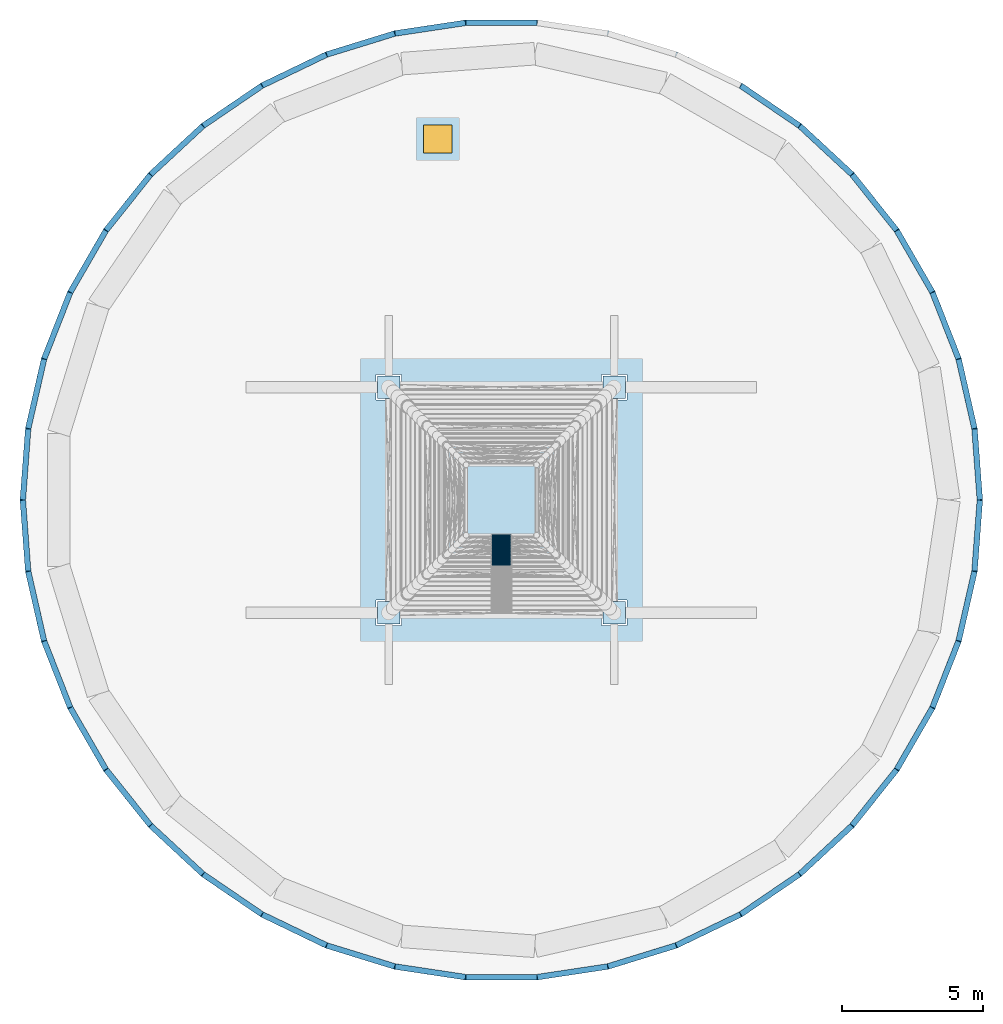
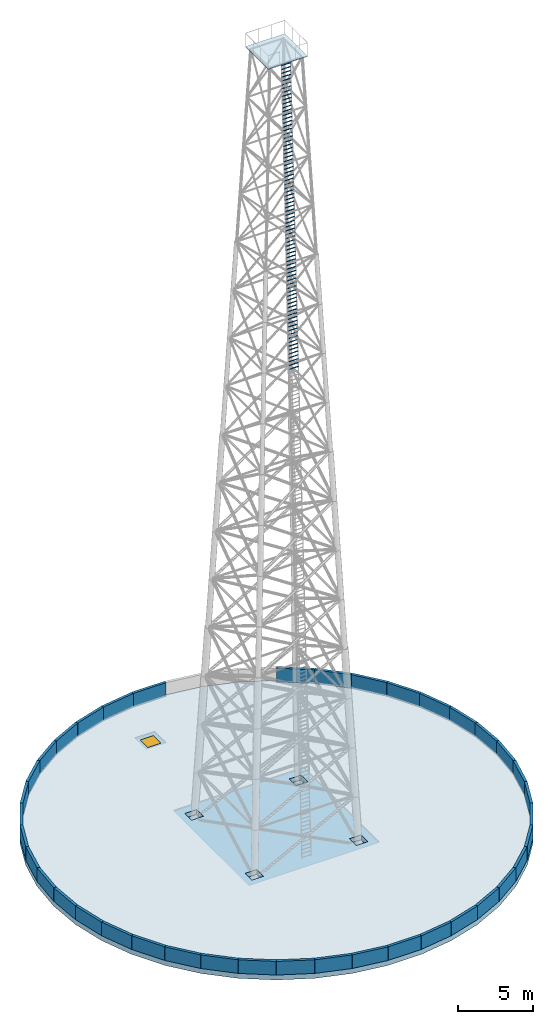
"""IFC4 building model written with IfcOpenShell, lengths in metres."""

from ifc_helpers import new_model, si_unit, direction, frame, frame_2d, origin, origin_2d, place, context, subcontext, project, spatial, polyline, rectangle, hollow_circle, outline, extrude, material, layer, layer_set, material_profile, profile_set, type_object, element, fill, save


model = new_model("IFC4")

# Units and contexts
model_context = context("Model", 3, precision=1e-05, world=origin(), true_north=direction((0.0, 1.0)))
body_context = subcontext(model_context, "Body", "Model", "MODEL_VIEW")
ifc_project = project(units=[si_unit("LENGTHUNIT", "METRE"), si_unit("AREAUNIT", "SQUARE_METRE"), si_unit("VOLUMEUNIT", "CUBIC_METRE"), si_unit("PLANEANGLEUNIT", "RADIAN"), si_unit("MASSUNIT", "GRAM", prefix="KILO")], contexts=[model_context])

# Site, building, storey
site_placement = place(None, origin())
site = spatial("IfcSite", under=ifc_project, at=site_placement, CompositionType="ELEMENT")
building_placement = place(site_placement, origin())
building = spatial("IfcBuilding", under=site, at=building_placement, Name="Tracery Tower", CompositionType="ELEMENT")
storey_1_placement = place(building_placement, frame((0.0, 0.0, 364.199951171875)))
storey_1 = spatial("IfcBuildingStorey", under=building, at=storey_1_placement, Name="Roof", CompositionType="ELEMENT", Elevation=364.199951171875)

# Members
ifc_material_1 = material(Name="Steel S355", Category="steel")
ifc_material_profile = material_profile(ifc_material_1, hollow_circle(Radius=0.024169921875, WallThickness=0.00390625, at=origin_2d()), Name="CHS 48.3x4")
ifc_profile_set = profile_set([ifc_material_profile], Name="Steel S355")
member_type = type_object("IfcMemberType", Name="Mast ladder rung MAST CHS 48.3x4", PredefinedType="MEMBER", material=ifc_profile_set)
for number, where, z_axis, x_axis, name in (
    (1, (-0.35009765625, -2.301025390625, 38.64501953125), (1.0, 0.0, 0.0), (0.0, 1.0, 0.0), "Mast service ladder rung 129"),
    (2, (-0.35009765625, -2.287841796875, 38.948486328125), (1.0, 0.0, 0.0), (0.0, 1.0, 0.0), "Mast service ladder rung 130"),
    (3, (-0.35009765625, -2.274658203125, 39.251953125), (1.0, 0.0, 0.0), (0.0, 1.0, 0.0), "Mast service ladder rung 131"),
    (4, (-0.35009765625, -2.261474609375, 39.555419921875), (1.0, 0.0, 0.0), (0.0, 1.0, 0.0), "Mast service ladder rung 132"),
    (5, (-0.35009765625, -2.248291015625, 39.858642578125), (1.0, 0.0, 0.0), (0.0, 1.0, 0.0), "Mast service ladder rung 133"),
    (6, (-0.35009765625, -2.235107421875, 40.162353515625), (1.0, 0.0, 0.0), (0.0, 1.0, 0.0), "Mast service ladder rung 134"),
    (7, (-0.35009765625, -2.2216796875, 40.4658203125), (1.0, 0.0, 0.0), (0.0, 1.0, 0.0), "Mast service ladder rung 135"),
    (8, (-0.35009765625, -2.20849609375, 40.76904296875), (1.0, 0.0, 0.0), (0.0, 1.0, 0.0), "Mast service ladder rung 136"),
    (9, (-0.35009765625, -2.1953125, 41.07275390625), (1.0, 0.0, 0.0), (0.0, 1.0, 0.0), "Mast service ladder rung 137"),
    (10, (-0.35009765625, -2.18212890625, 41.376220703125), (1.0, 0.0, 0.0), (0.0, 1.0, 0.0), "Mast service ladder rung 138"),
    (11, (-0.35009765625, -2.1689453125, 41.679443359375), (1.0, 0.0, 0.0), (0.0, 1.0, 0.0), "Mast service ladder rung 139"),
    (12, (-0.35009765625, -2.155517578125, 41.983154296875), (1.0, 0.0, 0.0), (0.0, 1.0, 0.0), "Mast service ladder rung 140"),
    (13, (-0.35009765625, -2.142333984375, 42.286376953125), (1.0, 0.0, 0.0), (0.0, 1.0, 0.0), "Mast service ladder rung 141"),
    (14, (-0.35009765625, -2.129150390625, 42.58984375), (1.0, 0.0, 0.0), (0.0, 1.0, 0.0), "Mast service ladder rung 142"),
    (15, (-0.35009765625, -2.115966796875, 42.8935546875), (1.0, 0.0, 0.0), (0.0, 1.0, 0.0), "Mast service ladder rung 143"),
    (16, (-0.35009765625, -2.102783203125, 43.19677734375), (1.0, 0.0, 0.0), (0.0, 1.0, 0.0), "Mast service ladder rung 144"),
    (17, (-0.35009765625, -2.089599609375, 43.500244140625), (1.0, 0.0, 0.0), (0.0, 1.0, 0.0), "Mast service ladder rung 145"),
    (18, (-0.35009765625, -2.076416015625, 43.803955078125), (1.0, 0.0, 0.0), (0.0, 1.0, 0.0), "Mast service ladder rung 146"),
    (19, (-0.35009765625, -2.06298828125, 44.107177734375), (1.0, 0.0, 0.0), (0.0, 1.0, 0.0), "Mast service ladder rung 147"),
    (20, (-0.35009765625, -2.0498046875, 44.41064453125), (1.0, 0.0, 0.0), (0.0, 1.0, 0.0), "Mast service ladder rung 148"),
    (21, (-0.35009765625, -2.03662109375, 44.714111328125), (1.0, 0.0, 0.0), (0.0, 1.0, 0.0), "Mast service ladder rung 149"),
    (22, (-0.35009765625, -2.0234375, 45.017578125), (1.0, 0.0, 0.0), (0.0, 1.0, 0.0), "Mast service ladder rung 150"),
    (23, (-0.35009765625, -2.01025390625, 45.321044921875), (1.0, 0.0, 0.0), (0.0, 1.0, 0.0), "Mast service ladder rung 151"),
    (24, (-0.35009765625, -1.9970703125, 45.62451171875), (1.0, 0.0, 0.0), (0.0, 1.0, 0.0), "Mast service ladder rung 152"),
    (25, (-0.35009765625, -1.98388671875, 45.927978515625), (1.0, 0.0, 0.0), (0.0, 1.0, 0.0), "Mast service ladder rung 153"),
    (26, (-0.35009765625, -1.970703125, 46.2314453125), (1.0, 0.0, 0.0), (0.0, 1.0, 0.0), "Mast service ladder rung 154"),
    (27, (-0.35009765625, -1.957275390625, 46.534912109375), (1.0, 0.0, 0.0), (0.0, 1.0, 0.0), "Mast service ladder rung 155"),
    (28, (-0.35009765625, -1.944091796875, 46.83837890625), (1.0, 0.0, 0.0), (0.0, 1.0, 0.0), "Mast service ladder rung 156"),
    (29, (-0.35009765625, -1.930908203125, 47.141845703125), (1.0, 0.0, 0.0), (0.0, 1.0, 0.0), "Mast service ladder rung 157"),
    (30, (-0.35009765625, -1.917724609375, 47.4453125), (1.0, 0.0, 0.0), (0.0, 1.0, 0.0), "Mast service ladder rung 158"),
    (31, (-0.35009765625, -1.904296875, 47.748779296875), (1.0, 0.0, 0.0), (0.0, 1.0, 0.0), "Mast service ladder rung 159"),
    (32, (-0.35009765625, -1.89111328125, 48.05224609375), (1.0, 0.0, 0.0), (0.0, 1.0, 0.0), "Mast service ladder rung 160"),
    (33, (-0.35009765625, -1.8779296875, 48.355712890625), (1.0, 0.0, 0.0), (0.0, 1.0, 0.0), "Mast service ladder rung 161"),
    (34, (-0.35009765625, -1.86474609375, 48.6591796875), (1.0, 0.0, 0.0), (0.0, 1.0, 0.0), "Mast service ladder rung 162"),
    (35, (-0.35009765625, -1.8515625, 48.962646484375), (1.0, 0.0, 0.0), (0.0, 1.0, 0.0), "Mast service ladder rung 163"),
    (36, (-0.35009765625, -1.83837890625, 49.26611328125), (1.0, 0.0, 0.0), (0.0, 1.0, 0.0), "Mast service ladder rung 164"),
    (37, (-0.35009765625, -1.8251953125, 49.569580078125), (1.0, 0.0, 0.0), (0.0, 1.0, 0.0), "Mast service ladder rung 165"),
    (38, (-0.35009765625, -1.81201171875, 49.873046875), (1.0, 0.0, 0.0), (0.0, 1.0, 0.0), "Mast service ladder rung 166"),
    (39, (-0.35009765625, -1.798583984375, 50.176513671875), (1.0, 0.0, 0.0), (0.0, 1.0, 0.0), "Mast service ladder rung 167"),
    (40, (-0.35009765625, -1.785400390625, 50.47998046875), (1.0, 0.0, 0.0), (0.0, 1.0, 0.0), "Mast service ladder rung 168"),
    (41, (-0.35009765625, -1.772216796875, 50.783447265625), (1.0, 0.0, 0.0), (0.0, 1.0, 0.0), "Mast service ladder rung 169"),
    (42, (-0.35009765625, -1.759033203125, 51.0869140625), (1.0, 0.0, 0.0), (0.0, 1.0, 0.0), "Mast service ladder rung 170"),
    (43, (-0.35009765625, -1.745849609375, 51.390380859375), (1.0, 0.0, 0.0), (0.0, 1.0, 0.0), "Mast service ladder rung 171"),
    (44, (-0.35009765625, -1.732666015625, 51.69384765625), (1.0, 0.0, 0.0), (0.0, 1.0, 0.0), "Mast service ladder rung 172"),
    (45, (-0.35009765625, -1.719482421875, 51.997314453125), (1.0, 0.0, 0.0), (0.0, 1.0, 0.0), "Mast service ladder rung 173"),
    (46, (-0.35009765625, -1.7060546875, 52.30078125), (1.0, 0.0, 0.0), (0.0, 1.0, 0.0), "Mast service ladder rung 174"),
    (47, (-0.35009765625, -1.69287109375, 52.604248046875), (1.0, 0.0, 0.0), (0.0, 1.0, 0.0), "Mast service ladder rung 175"),
    (48, (-0.35009765625, -1.6796875, 52.90771484375), (1.0, 0.0, 0.0), (0.0, 1.0, 0.0), "Mast service ladder rung 176"),
    (49, (-0.35009765625, -1.66650390625, 53.211181640625), (1.0, 0.0, 0.0), (0.0, 1.0, 0.0), "Mast service ladder rung 177"),
    (50, (-0.35009765625, -1.6533203125, 53.5146484375), (1.0, 0.0, 0.0), (0.0, 1.0, 0.0), "Mast service ladder rung 178"),
    (51, (-0.35009765625, -1.639892578125, 53.818115234375), (1.0, 0.0, 0.0), (0.0, 1.0, 0.0), "Mast service ladder rung 179"),
    (52, (-0.35009765625, -1.626708984375, 54.12158203125), (1.0, 0.0, 0.0), (0.0, 1.0, 0.0), "Mast service ladder rung 180"),
    (53, (-0.35009765625, -1.613525390625, 54.425048828125), (1.0, 0.0, 0.0), (0.0, 1.0, 0.0), "Mast service ladder rung 181"),
    (54, (-0.35009765625, -1.600341796875, 54.728515625), (1.0, 0.0, 0.0), (0.0, 1.0, 0.0), "Mast service ladder rung 182"),
    (55, (-0.35009765625, -1.587158203125, 55.031982421875), (1.0, 0.0, 0.0), (0.0, 1.0, 0.0), "Mast service ladder rung 183"),
    (56, (-0.35009765625, -1.573974609375, 55.33544921875), (1.0, 0.0, 0.0), (0.0, 1.0, 0.0), "Mast service ladder rung 184"),
    (57, (-0.35009765625, -1.560791015625, 55.638916015625), (1.0, 0.0, 0.0), (0.0, 1.0, 0.0), "Mast service ladder rung 185"),
    (58, (-0.35009765625, -1.547607421875, 55.942138671875), (1.0, 0.0, 0.0), (0.0, 1.0, 0.0), "Mast service ladder rung 186"),
    (59, (-0.35009765625, -1.5341796875, 56.245849609375), (1.0, 0.0, 0.0), (0.0, 1.0, 0.0), "Mast service ladder rung 187"),
    (60, (-0.35009765625, -1.52099609375, 56.54931640625), (1.0, 0.0, 0.0), (0.0, 1.0, 0.0), "Mast service ladder rung 188"),
    (61, (-0.35009765625, -1.5078125, 56.8525390625), (1.0, 0.0, 0.0), (0.0, 1.0, 0.0), "Mast service ladder rung 189"),
    (62, (-0.35009765625, -1.49462890625, 57.15625), (1.0, 0.0, 0.0), (0.0, 1.0, 0.0), "Mast service ladder rung 190"),
    (63, (-0.35009765625, -1.4814453125, 57.459716796875), (1.0, 0.0, 0.0), (0.0, 1.0, 0.0), "Mast service ladder rung 191"),
    (64, (-0.35009765625, -1.468017578125, 57.762939453125), (1.0, 0.0, 0.0), (0.0, 1.0, 0.0), "Mast service ladder rung 192"),
    (65, (-0.35009765625, -1.454833984375, 58.066650390625), (1.0, 0.0, 0.0), (0.0, 1.0, 0.0), "Mast service ladder rung 193"),
    (66, (-0.35009765625, -1.441650390625, 58.369873046875), (1.0, 0.0, 0.0), (0.0, 1.0, 0.0), "Mast service ladder rung 194"),
    (67, (-0.35009765625, -1.428466796875, 58.67333984375), (1.0, 0.0, 0.0), (0.0, 1.0, 0.0), "Mast service ladder rung 195"),
    (68, (-0.35009765625, -1.415283203125, 58.97705078125), (1.0, 0.0, 0.0), (0.0, 1.0, 0.0), "Mast service ladder rung 196"),
    (69, (-0.35009765625, -1.402099609375, 59.2802734375), (1.0, 0.0, 0.0), (0.0, 1.0, 0.0), "Mast service ladder rung 197"),
    (70, (-0.35009765625, -1.388916015625, 59.583740234375), (1.0, 0.0, 0.0), (0.0, 1.0, 0.0), "Mast service ladder rung 198"),
    (71, (-0.35009765625, -1.37548828125, 59.887451171875), (1.0, 0.0, 0.0), (0.0, 1.0, 0.0), "Mast service ladder rung 199"),
    (72, (-0.35009765625, -1.3623046875, 60.190673828125), (1.0, 0.0, 0.0), (0.0, 1.0, 0.0), "Mast service ladder rung 200"),
    (73, (-0.35009765625, -1.34912109375, 60.494140625), (1.0, 0.0, 0.0), (0.0, 1.0, 0.0), "Mast service ladder rung 201"),
    (74, (-0.35009765625, -1.3359375, 60.797607421875), (1.0, 0.0, 0.0), (0.0, 1.0, 0.0), "Mast service ladder rung 202"),
    (75, (-0.35009765625, -1.32275390625, 61.10107421875), (1.0, 0.0, 0.0), (0.0, 1.0, 0.0), "Mast service ladder rung 203"),
    (76, (-0.35009765625, -1.3095703125, 61.404541015625), (1.0, 0.0, 0.0), (0.0, 1.0, 0.0), "Mast service ladder rung 204"),
    (77, (-0.35009765625, -1.29638671875, 61.7080078125), (1.0, 0.0, 0.0), (0.0, 1.0, 0.0), "Mast service ladder rung 205"),
    (78, (-0.35009765625, -1.283203125, 62.011474609375), (1.0, 0.0, 0.0), (0.0, 1.0, 0.0), "Mast service ladder rung 206"),
    (79, (-0.35009765625, -1.269775390625, 62.31494140625), (1.0, 0.0, 0.0), (0.0, 1.0, 0.0), "Mast service ladder rung 207"),
    (80, (-0.35009765625, -1.256591796875, 62.618408203125), (1.0, 0.0, 0.0), (0.0, 1.0, 0.0), "Mast service ladder rung 208"),
):
    element("IfcMember", number, at=place(storey_1_placement, frame(where, z_axis=z_axis, x_axis=x_axis)), inside=storey_1, type_object=member_type, Name=name, PredefinedType="MEMBER", context=body_context, shape_type="SweptSolid", body=[
        extrude(hollow_circle(Radius=0.024169921875, WallThickness=0.00390625, at=origin_2d()), origin(), (0.0, 0.0, 1.0), 0.7001953125),
    ])

# Plates
ifc_material_2 = material(Name="Steel S355", Category="steel")
ifc_layer_1 = layer(ifc_material_2, 0.050048828125)
ifc_layer_set_1 = layer_set([ifc_layer_1], Name="Mast base plate 800x800x50 MAST")
plate_type_1 = type_object("IfcPlateType", Name="Mast base plate 800x800x50 MAST", PredefinedType="SHEET", material=ifc_layer_set_1)
for number, where, z_axis, x_axis, name in (
    (81, (-4.0, -4.0, -0.39990234375), (0.0, 0.0, 1.0), (1.0, 0.0, 0.0), "Mast base plate 1"),
    (82, (4.0, -4.0, -0.39990234375), (0.0, 0.0, 1.0), (1.0, 0.0, 0.0), "Mast base plate 2"),
    (83, (4.0, 4.0, -0.39990234375), (0.0, 0.0, 1.0), (1.0, 0.0, 0.0), "Mast base plate 3"),
    (84, (-4.0, 4.0, -0.39990234375), (0.0, 0.0, 1.0), (1.0, 0.0, 0.0), "Mast base plate 4"),
):
    element("IfcPlate", number, at=place(storey_1_placement, frame(where, z_axis=z_axis, x_axis=x_axis)), inside=storey_1, type_object=plate_type_1, Name=name, PredefinedType="SHEET", context=body_context, shape_type="SweptSolid", body=[
        extrude(rectangle(XDim=0.800048828125, YDim=0.800048828125, at=origin_2d()), origin(), (0.0, 0.0, 1.0), 0.050048828125),
    ])
ifc_material_3 = material(Name="Steel S355", Category="steel")
ifc_layer_2 = layer(ifc_material_3, 0.06005859375)
ifc_layer_set_2 = layer_set([ifc_layer_2], Name="Mast lamp platform grating 3000x3000x60 MAST")
plate_type_2 = type_object("IfcPlateType", Name="Mast lamp platform grating 3000x3000x60 MAST", PredefinedType="SHEET", material=ifc_layer_set_2)
plate_placement = place(storey_1_placement, frame((0.0, 0.0, 62.840087890625), z_axis=(0.0, 0.0, 1.0), x_axis=(1.0, 0.0, 0.0)))
element("IfcPlate", 85, at=plate_placement, inside=storey_1, type_object=plate_type_2, Name="Mast lamp platform", PredefinedType="SHEET", context=body_context, shape_type="SweptSolid", body=[
    extrude(rectangle(XDim=3.0, YDim=3.0, at=origin_2d()), origin(), (0.0, 0.0, 1.0), 0.06005859375),
])

# Slab, opening
ifc_material_4 = material(Name="Concrete C40/50", Category="concrete")
ifc_layer_3 = layer(ifc_material_4, 0.39990234375)
ifc_layer_set_3 = layer_set([ifc_layer_3], Name="Roof slab 400")
slab_type = type_object("IfcSlabType", Name="Roof slab 400", PredefinedType="ROOF", material=ifc_layer_set_3)
slab_placement = place(storey_1_placement, frame((0.0, 0.0, -0.39990234375)))
slab = element("IfcSlab", 86, at=slab_placement, inside=storey_1, type_object=slab_type, Name="Roof slab", PredefinedType="ROOF", context=body_context, shape_type="SweptSolid", body=[
    extrude(outline(polyline([(17.072265625, 0.0), (16.881591796875, 2.54443359375), (16.313720703125, 5.031982421875), (15.381591796875, 7.4072265625), (14.105712890625, 9.6171875), (12.514892578125, 11.612060546875), (10.644287109375, 13.34765625), (8.5361328125, 14.784912109375), (6.2373046875, 15.89208984375), (3.798828125, 16.644287109375), (1.27587890625, 17.0244140625), (-1.27587890625, 17.0244140625), (-3.798828125, 16.644287109375), (-6.2373046875, 15.89208984375), (-8.5361328125, 14.784912109375), (-10.644287109375, 13.34765625), (-12.514892578125, 11.612060546875), (-14.105712890625, 9.6171875), (-15.381591796875, 7.4072265625), (-16.313720703125, 5.031982421875), (-16.881591796875, 2.54443359375), (-17.072265625, 0.0), (-16.881591796875, -2.54443359375), (-16.313720703125, -5.031982421875), (-15.381591796875, -7.4072265625), (-14.105712890625, -9.6171875), (-12.514892578125, -11.612060546875), (-10.644287109375, -13.34765625), (-8.5361328125, -14.784912109375), (-6.2373046875, -15.89208984375), (-3.798828125, -16.644287109375), (-1.27587890625, -17.0244140625), (1.27587890625, -17.0244140625), (3.798828125, -16.644287109375), (6.2373046875, -15.89208984375), (8.5361328125, -14.784912109375), (10.644287109375, -13.34765625), (12.514892578125, -11.612060546875), (14.105712890625, -9.6171875), (15.381591796875, -7.4072265625), (16.313720703125, -5.031982421875), (16.881591796875, -2.54443359375), (17.072265625, 0.0)]), holes=[polyline([(3.550048828125, 3.550048828125), (4.449951171875, 3.550048828125), (4.449951171875, 4.449951171875), (3.550048828125, 4.449951171875), (3.550048828125, 3.550048828125)]), polyline([(-4.449951171875, 3.550048828125), (-3.550048828125, 3.550048828125), (-3.550048828125, 4.449951171875), (-4.449951171875, 4.449951171875), (-4.449951171875, 3.550048828125)]), polyline([(-4.449951171875, -4.449951171875), (-3.550048828125, -4.449951171875), (-3.550048828125, -3.550048828125), (-4.449951171875, -3.550048828125), (-4.449951171875, -4.449951171875)]), polyline([(3.550048828125, -4.449951171875), (4.449951171875, -4.449951171875), (4.449951171875, -3.550048828125), (3.550048828125, -3.550048828125), (3.550048828125, -4.449951171875)])]), origin(), (0.0, 0.0, 1.0), 0.39990234375),
])
opening_placement = place(slab_placement, frame((-2.25732421875, 12.802490234375, 0.0)))
opening = element("IfcOpeningElement", 87, at=opening_placement, cuts=slab, Name="Opening EW835", PredefinedType="OPENING", context=body_context, shape_type="SweptSolid", body=[
    extrude(rectangle(XDim=1.0, YDim=1.0, at=origin_2d()), origin(), (0.0, 0.0, 1.0), 0.39990234375),
])

# Storey
storey_2_placement = place(building_placement, frame((0.0, 0.0, 358.199951171875)))
storey_2 = spatial("IfcBuildingStorey", under=building, at=storey_2_placement, Name="L91 Plant", CompositionType="ELEMENT", Elevation=358.199951171875)

# Window
ifc_material_5 = material(Name="Steel fire door", Category="steel")
window_type = type_object("IfcWindowType", Name="Roof access hatch 1000 x 1000", PartitioningType="SINGLE_PANEL", PredefinedType="SKYLIGHT", material=ifc_material_5)
window_placement = place(opening_placement, frame((0.0, 0.0, 0.349853515625)))
window = element("IfcWindow", 88, at=window_placement, inside=storey_2, type_object=window_type, Name="Roof access hatch EW835", OverallHeight=1.0, OverallWidth=1.0, PartitioningType="SINGLE_PANEL", PredefinedType="SKYLIGHT", context=body_context, shape_type="SweptSolid", body=[
    extrude(rectangle(XDim=1.0, YDim=1.0, at=origin_2d()), origin(), (0.0, 0.0, 1.0), 0.050048828125),
])

fill(opening, window)

# Walls
ifc_material_6 = material(Name="Precast concrete C50/60", Category="concrete")
ifc_layer_4 = layer(ifc_material_6, 0.199951171875)
ifc_layer_set_4 = layer_set([ifc_layer_4], Name="Roof parapet 200")
wall_type = type_object("IfcWallType", Name="Roof parapet 200", PredefinedType="PARAPET", material=ifc_layer_set_4)
wall_1_placement = place(storey_1_placement, frame((16.97119140625, 0.008544921875, 0.0), z_axis=(0.0, 0.0, 1.0), x_axis=(-0.074710452078, 0.997205268914, 0.0)))
element("IfcWall", 89, at=wall_1_placement, inside=storey_1, type_object=wall_type, Name="Roof parapet 1", PredefinedType="PARAPET", context=body_context, shape_type="SweptSolid", body=[
    extrude(rectangle(XDim=2.51953125, YDim=0.199951171875, at=frame_2d((1.259765625, 0.0))), origin(), (0.0, 0.0, 1.0), 1.10009765625),
])
for number, where, z_axis, x_axis, name in (
    (90, (16.780517578125, 2.537841796875, 0.0), (0.0, 0.0, 1.0), (-0.222559075323, 0.974919205879, 0.0), "Roof parapet 2"),
    (91, (16.21484375, 5.010498046875, 0.0), (0.0, 0.0, 1.0), (-0.365385552195, 0.93085627153, 0.0), "Roof parapet 3"),
    (92, (15.286865234375, 7.37109375, 0.0), (0.0, 0.0, 1.0), (-0.499974077718, 0.866040369504, 0.0), "Roof parapet 4"),
):
    element("IfcWall", number, at=place(storey_1_placement, frame(where, z_axis=z_axis, x_axis=x_axis)), inside=storey_1, type_object=wall_type, Name=name, PredefinedType="PARAPET", context=body_context, shape_type="SweptSolid", body=[
        extrude(rectangle(XDim=2.519775390625, YDim=0.199951171875, at=frame_2d((1.259765625, 0.0))), origin(), (0.0, 0.0, 1.0), 1.10009765625),
    ])
wall_2_placement = place(storey_1_placement, frame((14.017578125, 9.5673828125, 0.0), z_axis=(0.0, 0.0, 1.0), x_axis=(-0.623548124622, 0.781784968057, 0.0)))
element("IfcWall", 93, at=wall_2_placement, inside=storey_1, type_object=wall_type, Name="Roof parapet 5", PredefinedType="PARAPET", context=body_context, shape_type="SweptSolid", body=[
    extrude(rectangle(XDim=2.51953125, YDim=0.199951171875, at=frame_2d((1.259765625, 0.0))), origin(), (0.0, 0.0, 1.0), 1.10009765625),
])
wall_3_placement = place(storey_1_placement, frame((12.43505859375, 11.549560546875, 0.0), z_axis=(0.0, 0.0, 1.0), x_axis=(-0.733062600056, 0.68016117531, 0.0)))
element("IfcWall", 94, at=wall_3_placement, inside=storey_1, type_object=wall_type, Name="Roof parapet 6", PredefinedType="PARAPET", context=body_context, shape_type="SweptSolid", body=[
    extrude(rectangle(XDim=2.519775390625, YDim=0.199951171875, at=frame_2d((1.259765625, 0.0))), origin(), (0.0, 0.0, 1.0), 1.10009765625),
])
for number, where, z_axis, x_axis, name in (
    (95, (10.57470703125, 13.27392578125, 0.0), (0.0, 0.0, 1.0), (-0.826221192882, 0.563345844426, 0.0), "Roof parapet 7"),
    (96, (1.259765625, 16.924560546875, 0.0), (0.0, 0.0, 1.0), (-1.0, 0.0, 0.0), "Roof parapet 11"),
):
    element("IfcWall", number, at=place(storey_1_placement, frame(where, z_axis=z_axis, x_axis=x_axis)), inside=storey_1, type_object=wall_type, Name=name, PredefinedType="PARAPET", context=body_context, shape_type="SweptSolid", body=[
        extrude(rectangle(XDim=2.51953125, YDim=0.199951171875, at=frame_2d((1.259765625, 0.0))), origin(), (0.0, 0.0, 1.0), 1.10009765625),
    ])
for number, where, z_axis, x_axis, name in (
    (97, (-1.276611328125, 16.923095703125, 0.0), (0.0, 0.0, 1.0), (-0.98883520928, -0.149013183605, 0.0), "Roof parapet 12"),
    (98, (-3.78466796875, 16.5439453125, 0.0), (0.0, 0.0, 1.0), (-0.955573464233, -0.294753039769, 0.0), "Roof parapet 13"),
):
    element("IfcWall", number, at=place(storey_1_placement, frame(where, z_axis=z_axis, x_axis=x_axis)), inside=storey_1, type_object=wall_type, Name=name, PredefinedType="PARAPET", context=body_context, shape_type="SweptSolid", body=[
        extrude(rectangle(XDim=2.519775390625, YDim=0.199951171875, at=frame_2d((1.259765625, 0.0))), origin(), (0.0, 0.0, 1.0), 1.10009765625),
    ])
for number, where, z_axis, x_axis, name in (
    (99, (-6.208251953125, 15.794921875, 0.0), (0.0, 0.0, 1.0), (-0.900994655578, -0.433830186387, 0.0), "Roof parapet 14"),
    (100, (-8.492919921875, 14.693359375, 0.0), (0.0, 0.0, 1.0), (-0.826221192882, -0.563345844426, 0.0), "Roof parapet 15"),
):
    element("IfcWall", number, at=place(storey_1_placement, frame(where, z_axis=z_axis, x_axis=x_axis)), inside=storey_1, type_object=wall_type, Name=name, PredefinedType="PARAPET", context=body_context, shape_type="SweptSolid", body=[
        extrude(rectangle(XDim=2.51953125, YDim=0.199951171875, at=frame_2d((1.259765625, 0.0))), origin(), (0.0, 0.0, 1.0), 1.10009765625),
    ])
wall_4_placement = place(storey_1_placement, frame((-10.587890625, 13.263427734375, 0.0), z_axis=(0.0, 0.0, 1.0), x_axis=(-0.733062600056, -0.68016117531, 0.0)))
element("IfcWall", 101, at=wall_4_placement, inside=storey_1, type_object=wall_type, Name="Roof parapet 16", PredefinedType="PARAPET", context=body_context, shape_type="SweptSolid", body=[
    extrude(rectangle(XDim=2.519775390625, YDim=0.199951171875, at=frame_2d((1.259765625, 0.0))), origin(), (0.0, 0.0, 1.0), 1.10009765625),
])
wall_5_placement = place(storey_1_placement, frame((-12.446533203125, 11.537109375, 0.0), z_axis=(0.0, 0.0, 1.0), x_axis=(-0.623548124622, -0.781784968057, 0.0)))
element("IfcWall", 102, at=wall_5_placement, inside=storey_1, type_object=wall_type, Name="Roof parapet 17", PredefinedType="PARAPET", context=body_context, shape_type="SweptSolid", body=[
    extrude(rectangle(XDim=2.51953125, YDim=0.199951171875, at=frame_2d((1.259765625, 0.0))), origin(), (0.0, 0.0, 1.0), 1.10009765625),
])
for number, where, z_axis, x_axis, name in (
    (103, (-14.027099609375, 9.55322265625, 0.0), (0.0, 0.0, 1.0), (-0.499974077718, -0.866040369504, 0.0), "Roof parapet 18"),
    (104, (-15.294189453125, 7.35595703125, 0.0), (0.0, 0.0, 1.0), (-0.365385552195, -0.93085627153, 0.0), "Roof parapet 19"),
    (105, (-16.2197265625, 4.994384765625, 0.0), (0.0, 0.0, 1.0), (-0.222559075323, -0.974919205879, 0.0), "Roof parapet 20"),
):
    element("IfcWall", number, at=place(storey_1_placement, frame(where, z_axis=z_axis, x_axis=x_axis)), inside=storey_1, type_object=wall_type, Name=name, PredefinedType="PARAPET", context=body_context, shape_type="SweptSolid", body=[
        extrude(rectangle(XDim=2.519775390625, YDim=0.199951171875, at=frame_2d((1.259765625, 0.0))), origin(), (0.0, 0.0, 1.0), 1.10009765625),
    ])
for number, where, z_axis, x_axis, name in (
    (106, (-16.782958984375, 2.52099609375, 0.0), (0.0, 0.0, 1.0), (-0.074710452078, -0.997205268914, 0.0), "Roof parapet 21"),
    (107, (-16.97119140625, -0.008544921875, 0.0), (0.0, 0.0, 1.0), (0.074710452078, -0.997205268914, 0.0), "Roof parapet 22"),
):
    element("IfcWall", number, at=place(storey_1_placement, frame(where, z_axis=z_axis, x_axis=x_axis)), inside=storey_1, type_object=wall_type, Name=name, PredefinedType="PARAPET", context=body_context, shape_type="SweptSolid", body=[
        extrude(rectangle(XDim=2.51953125, YDim=0.199951171875, at=frame_2d((1.259765625, 0.0))), origin(), (0.0, 0.0, 1.0), 1.10009765625),
    ])
for number, where, z_axis, x_axis, name in (
    (108, (-16.780517578125, -2.537841796875, 0.0), (0.0, 0.0, 1.0), (0.222559075323, -0.974919205879, 0.0), "Roof parapet 23"),
    (109, (-16.21484375, -5.010498046875, 0.0), (0.0, 0.0, 1.0), (0.365385552195, -0.93085627153, 0.0), "Roof parapet 24"),
    (110, (-15.286865234375, -7.37109375, 0.0), (0.0, 0.0, 1.0), (0.499974077718, -0.866040369504, 0.0), "Roof parapet 25"),
):
    element("IfcWall", number, at=place(storey_1_placement, frame(where, z_axis=z_axis, x_axis=x_axis)), inside=storey_1, type_object=wall_type, Name=name, PredefinedType="PARAPET", context=body_context, shape_type="SweptSolid", body=[
        extrude(rectangle(XDim=2.519775390625, YDim=0.199951171875, at=frame_2d((1.259765625, 0.0))), origin(), (0.0, 0.0, 1.0), 1.10009765625),
    ])
wall_6_placement = place(storey_1_placement, frame((-14.017578125, -9.5673828125, 0.0), z_axis=(0.0, 0.0, 1.0), x_axis=(0.623548124622, -0.781784968057, 0.0)))
element("IfcWall", 111, at=wall_6_placement, inside=storey_1, type_object=wall_type, Name="Roof parapet 26", PredefinedType="PARAPET", context=body_context, shape_type="SweptSolid", body=[
    extrude(rectangle(XDim=2.51953125, YDim=0.199951171875, at=frame_2d((1.259765625, 0.0))), origin(), (0.0, 0.0, 1.0), 1.10009765625),
])
wall_7_placement = place(storey_1_placement, frame((-12.43505859375, -11.549560546875, 0.0), z_axis=(0.0, 0.0, 1.0), x_axis=(0.733062600056, -0.68016117531, 0.0)))
element("IfcWall", 112, at=wall_7_placement, inside=storey_1, type_object=wall_type, Name="Roof parapet 27", PredefinedType="PARAPET", context=body_context, shape_type="SweptSolid", body=[
    extrude(rectangle(XDim=2.519775390625, YDim=0.199951171875, at=frame_2d((1.259765625, 0.0))), origin(), (0.0, 0.0, 1.0), 1.10009765625),
])
for number, where, z_axis, x_axis, name in (
    (113, (-10.57470703125, -13.27392578125, 0.0), (0.0, 0.0, 1.0), (0.826221192882, -0.563345844426, 0.0), "Roof parapet 28"),
    (114, (-8.478271484375, -14.701904296875, 0.0), (0.0, 0.0, 1.0), (0.900994655578, -0.433830186387, 0.0), "Roof parapet 29"),
):
    element("IfcWall", number, at=place(storey_1_placement, frame(where, z_axis=z_axis, x_axis=x_axis)), inside=storey_1, type_object=wall_type, Name=name, PredefinedType="PARAPET", context=body_context, shape_type="SweptSolid", body=[
        extrude(rectangle(XDim=2.51953125, YDim=0.199951171875, at=frame_2d((1.259765625, 0.0))), origin(), (0.0, 0.0, 1.0), 1.10009765625),
    ])
for number, where, z_axis, x_axis, name in (
    (115, (-6.1923828125, -15.80126953125, 0.0), (0.0, 0.0, 1.0), (0.955573464233, -0.294753039769, 0.0), "Roof parapet 30"),
    (116, (-3.768310546875, -16.547607421875, 0.0), (0.0, 0.0, 1.0), (0.98883520928, -0.149013183605, 0.0), "Roof parapet 31"),
):
    element("IfcWall", number, at=place(storey_1_placement, frame(where, z_axis=z_axis, x_axis=x_axis)), inside=storey_1, type_object=wall_type, Name=name, PredefinedType="PARAPET", context=body_context, shape_type="SweptSolid", body=[
        extrude(rectangle(XDim=2.519775390625, YDim=0.199951171875, at=frame_2d((1.259765625, 0.0))), origin(), (0.0, 0.0, 1.0), 1.10009765625),
    ])
wall_8_placement = place(storey_1_placement, frame((-1.259765625, -16.924560546875, 0.0), z_axis=(0.0, 0.0, 1.0), x_axis=(1.0, 0.0, 0.0)))
element("IfcWall", 117, at=wall_8_placement, inside=storey_1, type_object=wall_type, Name="Roof parapet 32", PredefinedType="PARAPET", context=body_context, shape_type="SweptSolid", body=[
    extrude(rectangle(XDim=2.51953125, YDim=0.199951171875, at=frame_2d((1.259765625, 0.0))), origin(), (0.0, 0.0, 1.0), 1.10009765625),
])
for number, where, z_axis, x_axis, name in (
    (118, (1.276611328125, -16.923095703125, 0.0), (0.0, 0.0, 1.0), (0.98883520928, 0.149013183605, 0.0), "Roof parapet 33"),
    (119, (3.78466796875, -16.5439453125, 0.0), (0.0, 0.0, 1.0), (0.955573464233, 0.294753039769, 0.0), "Roof parapet 34"),
):
    element("IfcWall", number, at=place(storey_1_placement, frame(where, z_axis=z_axis, x_axis=x_axis)), inside=storey_1, type_object=wall_type, Name=name, PredefinedType="PARAPET", context=body_context, shape_type="SweptSolid", body=[
        extrude(rectangle(XDim=2.519775390625, YDim=0.199951171875, at=frame_2d((1.259765625, 0.0))), origin(), (0.0, 0.0, 1.0), 1.10009765625),
    ])
for number, where, z_axis, x_axis, name in (
    (120, (6.208251953125, -15.794921875, 0.0), (0.0, 0.0, 1.0), (0.900994655578, 0.433830186387, 0.0), "Roof parapet 35"),
    (121, (8.492919921875, -14.693359375, 0.0), (0.0, 0.0, 1.0), (0.826221192882, 0.563345844426, 0.0), "Roof parapet 36"),
):
    element("IfcWall", number, at=place(storey_1_placement, frame(where, z_axis=z_axis, x_axis=x_axis)), inside=storey_1, type_object=wall_type, Name=name, PredefinedType="PARAPET", context=body_context, shape_type="SweptSolid", body=[
        extrude(rectangle(XDim=2.51953125, YDim=0.199951171875, at=frame_2d((1.259765625, 0.0))), origin(), (0.0, 0.0, 1.0), 1.10009765625),
    ])
wall_9_placement = place(storey_1_placement, frame((10.587890625, -13.263427734375, 0.0), z_axis=(0.0, 0.0, 1.0), x_axis=(0.733062600056, 0.68016117531, 0.0)))
element("IfcWall", 122, at=wall_9_placement, inside=storey_1, type_object=wall_type, Name="Roof parapet 37", PredefinedType="PARAPET", context=body_context, shape_type="SweptSolid", body=[
    extrude(rectangle(XDim=2.519775390625, YDim=0.199951171875, at=frame_2d((1.259765625, 0.0))), origin(), (0.0, 0.0, 1.0), 1.10009765625),
])
wall_10_placement = place(storey_1_placement, frame((12.446533203125, -11.537109375, 0.0), z_axis=(0.0, 0.0, 1.0), x_axis=(0.623548124622, 0.781784968057, 0.0)))
element("IfcWall", 123, at=wall_10_placement, inside=storey_1, type_object=wall_type, Name="Roof parapet 38", PredefinedType="PARAPET", context=body_context, shape_type="SweptSolid", body=[
    extrude(rectangle(XDim=2.51953125, YDim=0.199951171875, at=frame_2d((1.259765625, 0.0))), origin(), (0.0, 0.0, 1.0), 1.10009765625),
])
for number, where, z_axis, x_axis, name in (
    (124, (14.027099609375, -9.55322265625, 0.0), (0.0, 0.0, 1.0), (0.499974077718, 0.866040369504, 0.0), "Roof parapet 39"),
    (125, (15.294189453125, -7.35595703125, 0.0), (0.0, 0.0, 1.0), (0.365385552195, 0.93085627153, 0.0), "Roof parapet 40"),
    (126, (16.2197265625, -4.994384765625, 0.0), (0.0, 0.0, 1.0), (0.222559075323, 0.974919205879, 0.0), "Roof parapet 41"),
):
    element("IfcWall", number, at=place(storey_1_placement, frame(where, z_axis=z_axis, x_axis=x_axis)), inside=storey_1, type_object=wall_type, Name=name, PredefinedType="PARAPET", context=body_context, shape_type="SweptSolid", body=[
        extrude(rectangle(XDim=2.519775390625, YDim=0.199951171875, at=frame_2d((1.259765625, 0.0))), origin(), (0.0, 0.0, 1.0), 1.10009765625),
    ])
wall_11_placement = place(storey_1_placement, frame((16.782958984375, -2.52099609375, 0.0), z_axis=(0.0, 0.0, 1.0), x_axis=(0.074710452078, 0.997205268914, 0.0)))
element("IfcWall", 127, at=wall_11_placement, inside=storey_1, type_object=wall_type, Name="Roof parapet 42", PredefinedType="PARAPET", context=body_context, shape_type="SweptSolid", body=[
    extrude(rectangle(XDim=2.51953125, YDim=0.199951171875, at=frame_2d((1.259765625, 0.0))), origin(), (0.0, 0.0, 1.0), 1.10009765625),
])

save(model, "model.ifc")
